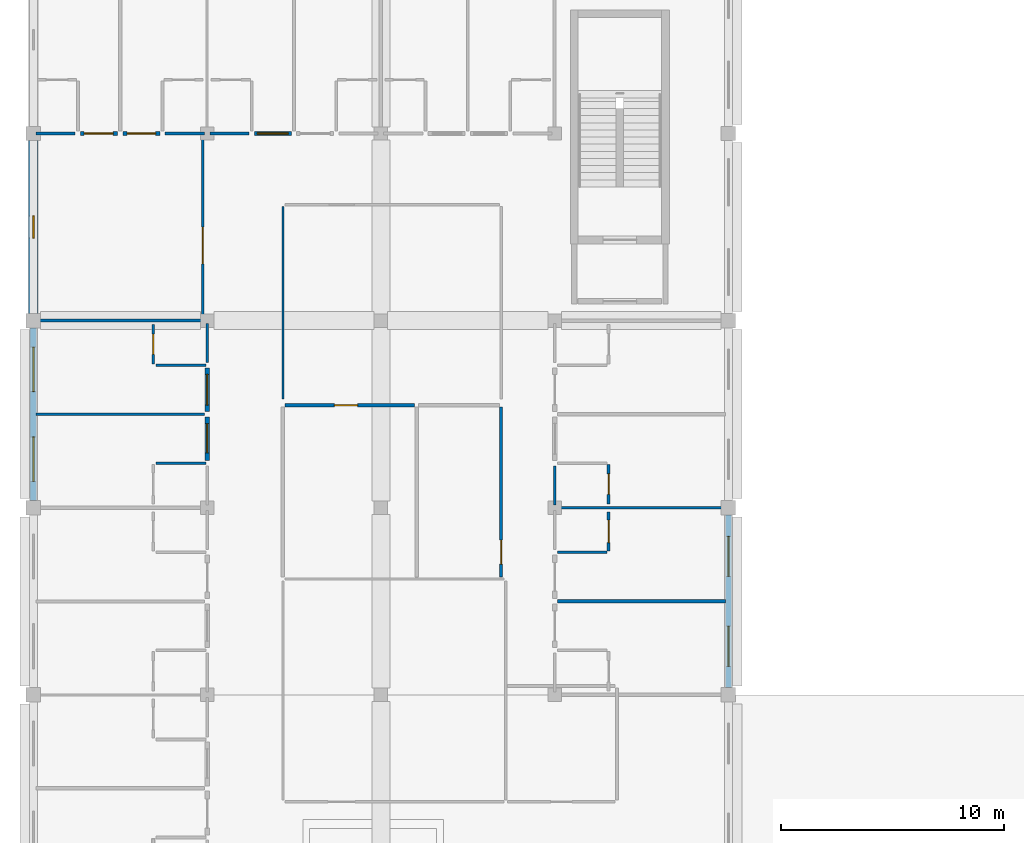
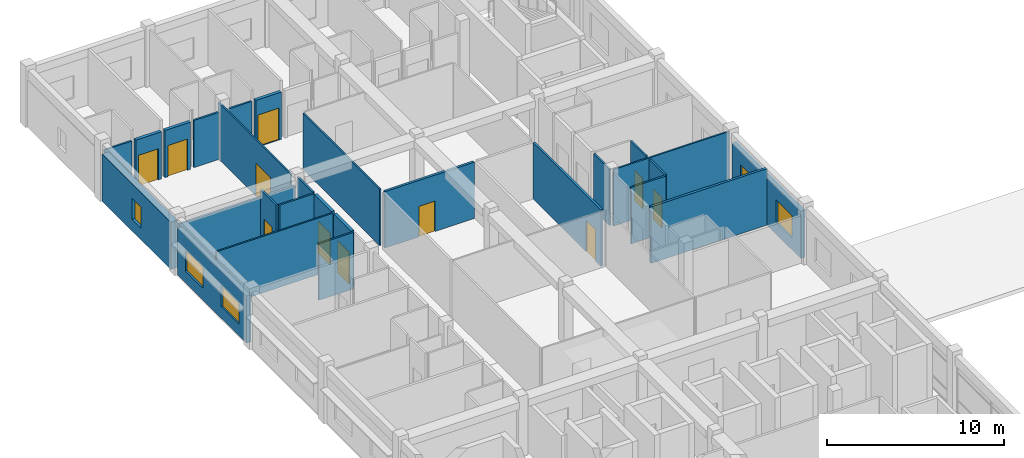
# One storey, part 16 of 32: 27 walls, 11 doors, 5 windows, 16 openings.
"""IFC4 building model written with IfcOpenShell, lengths in metres."""

from ifc_helpers import new_model, si_unit, direction, frame, frame_2d, origin, place, context, subcontext, project, spatial, rectangle, extrude, material, layer, layer_set, type_object, element, fill, save


model = new_model("IFC4")

# Units and contexts
model_context = context("Model", 3, precision=1e-05, world=origin(), true_north=direction((0.0, 1.0)))
body_context = subcontext(model_context, "Body", "Model", "MODEL_VIEW")
ifc_project = project(units=[si_unit("LENGTHUNIT", "METRE"), si_unit("AREAUNIT", "SQUARE_METRE"), si_unit("VOLUMEUNIT", "CUBIC_METRE"), si_unit("PLANEANGLEUNIT", "RADIAN"), si_unit("MASSUNIT", "GRAM", prefix="KILO"), si_unit("THERMODYNAMICTEMPERATUREUNIT", "KELVIN"), si_unit("POWERUNIT", "WATT")], contexts=[model_context])

# Site, building, storey
site_placement = place(None, origin())
site = spatial("IfcSite", under=ifc_project, at=site_placement, CompositionType="ELEMENT")
building_placement = place(site_placement, origin())
building = spatial("IfcBuilding", under=site, at=building_placement, Name="Srebrne Nadtorze General Hospital", CompositionType="ELEMENT")
storey_placement = place(building_placement, frame((0.0, 0.0, 29.699951171875)))
storey = spatial("IfcBuildingStorey", under=building, at=storey_placement, Name="L07", CompositionType="ELEMENT", Elevation=29.699951171875)

# Wall, opening, window
ifc_material_1 = material(Name="Concrete C40/50", Category="concrete")
ifc_layer_1 = layer(ifc_material_1, 0.419921875)
ifc_layer_set_1 = layer_set([ifc_layer_1], Name="Concrete C40/50")
wall_type_1 = type_object("IfcWallType", Name="Acoustic buffer wall 420", PredefinedType="SOLIDWALL", material=ifc_layer_set_1)
wall_1_placement = place(storey_placement, frame((23.39990234375, 75.925048828125, 0.0), z_axis=(0.0, 0.0, 1.0), x_axis=(0.0, 1.0, 0.0)))
wall_1 = element("IfcWall", 1, at=wall_1_placement, inside=storey, type_object=wall_type_1, Name="Exterior wall WL-ENV-L07-0532", PredefinedType="SOLIDWALL", context=body_context, shape_type="SweptSolid", body=[
    extrude(rectangle(XDim=7.75, YDim=0.419921875, at=frame_2d((3.875, 0.0))), origin(), (0.0, 0.0, 1.0), 3.25),
])
opening_1_placement = place(wall_1_placement, frame((3.375, 0.0, 0.800048828125)))
opening_1 = element("IfcOpeningElement", 2, at=opening_1_placement, cuts=wall_1, Name="Opening WN-L07-0894", PredefinedType="OPENING", context=body_context, shape_type="SweptSolid", body=[
    extrude(rectangle(XDim=1.0, YDim=1.449951171875, at=frame_2d((0.5, 0.72509765625))), frame((0.0, 0.221923828125, 0.0), z_axis=(0.0, -1.0, 0.0), x_axis=(1.0, 0.0, 0.0)), (0.0, 0.0, 1.0), 0.44384765625),
])
ifc_material_2 = material(Name="Triple Low-E Glazing", Category="glass")
window_type_1 = type_object("IfcWindowType", Name="Punched clinical window 1000x1450", PartitioningType="SINGLE_PANEL", PredefinedType="WINDOW", material=ifc_material_2)
window_1_placement = place(opening_1_placement, origin())
window_1 = element("IfcWindow", 3, at=window_1_placement, inside=storey, type_object=window_type_1, Name="Clinical window WN-L07-0894", OverallHeight=1.449951171875, OverallWidth=1.0, PartitioningType="SINGLE_PANEL", PredefinedType="WINDOW", context=body_context, shape_type="SweptSolid", body=[
    extrude(rectangle(XDim=1.0, YDim=1.449951171875, at=frame_2d((0.5, 0.72509765625))), frame((0.0, 0.030029296875, 0.0), z_axis=(0.0, -1.0, 0.0), x_axis=(1.0, 0.0, 0.0)), (0.0, 0.0, 1.0), 0.06005859375),
])
fill(opening_1, window_1)

# Wall
ifc_material_3 = material(Name="Gypsum Healthcare Partition")
ifc_layer_2 = layer(ifc_material_3, 0.139892578125)
ifc_layer_set_2 = layer_set([ifc_layer_2], Name="Gypsum Healthcare Partition")
wall_type_2 = type_object("IfcWallType", Name="Clinical partition 140", PredefinedType="PARTITIONING", material=ifc_layer_set_2)
wall_2_placement = place(storey_placement, frame((23.52001953125, 75.60009765625, 0.0), z_axis=(0.0, 0.0, 1.0), x_axis=(1.0, 0.0, 0.0)))
element("IfcWall", 4, at=wall_2_placement, inside=storey, type_object=wall_type_2, Name="Ward inter-room partition WL-INT-L07-2304", PredefinedType="PARTITIONING", context=body_context, shape_type="SweptSolid", body=[
    extrude(rectangle(XDim=7.56005859375, YDim=0.139892578125, at=frame_2d((3.780029296875, 0.0))), origin(), (0.0, 0.0, 1.0), 3.25),
])

# Wall, opening, door
wall_3_placement = place(storey_placement, frame((44.39990234375, 64.0849609375, 0.0), z_axis=(0.0, 0.0, 1.0), x_axis=(0.0, 1.0, 0.0)))
wall_3 = element("IfcWall", 5, at=wall_3_placement, inside=storey, type_object=wall_type_2, Name="Dirty Utility wall WL-INT-L07-2428", PredefinedType="PARTITIONING", context=body_context, shape_type="SweptSolid", body=[
    extrude(rectangle(XDim=7.630126953125, YDim=0.139892578125, at=frame_2d((3.81494140625, 0.0))), origin(), (0.0, 0.0, 1.0), 3.880126953125),
])
opening_2_placement = place(wall_3_placement, frame((0.586181640625, 0.0, 0.0)))
opening_2 = element("IfcOpeningElement", 6, at=opening_2_placement, cuts=wall_3, Name="Opening D-L07-0559", PredefinedType="OPENING", context=body_context, shape_type="SweptSolid", body=[
    extrude(rectangle(XDim=1.080078125, YDim=2.14990234375, at=frame_2d((0.5400390625, 1.074951171875))), frame((0.0, 0.08203125, 0.0), z_axis=(0.0, -1.0, 0.0), x_axis=(1.0, 0.0, 0.0)), (0.0, 0.0, 1.0), 0.163818359375),
])
ifc_material_4 = material(Name="Anodised Aluminium", Category="aluminium")
door_type_1 = type_object("IfcDoorType", Name="Single leaf door 1080x2150", OperationType="NOTDEFINED", PredefinedType="DOOR", material=ifc_material_4)
door_1_placement = place(opening_2_placement, origin())
door_1 = element("IfcDoor", 7, at=door_1_placement, inside=storey, type_object=door_type_1, Name="Dirty Utility door D-L07-0559", OperationType="SINGLE_SWING_LEFT", OverallHeight=2.14990234375, OverallWidth=1.080078125, PredefinedType="DOOR", context=body_context, shape_type="SweptSolid", body=[
    extrude(rectangle(XDim=1.080078125, YDim=2.14990234375, at=frame_2d((0.5400390625, 1.074951171875))), frame((0.0, 0.02490234375, 0.0), z_axis=(0.0, -1.0, 0.0), x_axis=(1.0, 0.0, 0.0)), (0.0, 0.0, 1.0), 0.050048828125),
])
fill(opening_2, door_1)

# Wall
ifc_material_5 = material(Name="Gypsum Healthcare Partition")
ifc_layer_3 = layer(ifc_material_5, 0.159912109375)
ifc_layer_set_3 = layer_set([ifc_layer_3], Name="Gypsum Healthcare Partition")
wall_type_3 = type_object("IfcWallType", Name="Clinical partition 160", PredefinedType="PARTITIONING", material=ifc_layer_set_3)
wall_4_placement = place(storey_placement, frame((46.919921875, 63.0, 0.0), z_axis=(0.0, 0.0, 1.0), x_axis=(1.0, 0.0, 0.0)))
element("IfcWall", 8, at=wall_4_placement, inside=storey, type_object=wall_type_3, Name="Ward inter-room partition WL-INT-L07-2310", PredefinedType="PARTITIONING", context=body_context, shape_type="SweptSolid", body=[
    extrude(rectangle(XDim=7.56005859375, YDim=0.159912109375, at=frame_2d((3.780029296875, 0.0))), origin(), (0.0, 0.0, 1.0), 3.880126953125),
])

# Wall, opening, door
wall_5_placement = place(storey_placement, frame((34.68505859375, 71.800048828125, 0.0), z_axis=(0.0, 0.0, 1.0), x_axis=(1.0, 0.0, 0.0)))
wall_5 = element("IfcWall", 9, at=wall_5_placement, inside=storey, type_object=wall_type_3, Name="Clean Medication Preparation Suite wall WL-INT-L07-2425", PredefinedType="PARTITIONING", context=body_context, shape_type="SweptSolid", body=[
    extrude(rectangle(XDim=5.829833984375, YDim=0.159912109375, at=frame_2d((2.9150390625, 0.0))), origin(), (0.0, 0.0, 1.0), 3.880126953125),
])
opening_3_placement = place(wall_5_placement, frame((2.225341796875, 0.0, 0.0)))
opening_3 = element("IfcOpeningElement", 10, at=opening_3_placement, cuts=wall_5, Name="Opening D-L07-0558", PredefinedType="OPENING", context=body_context, shape_type="SweptSolid", body=[
    extrude(rectangle(XDim=1.050048828125, YDim=2.10009765625, at=frame_2d((0.52490234375, 1.050048828125))), frame((0.0, 0.091796875, 0.0), z_axis=(0.0, -1.0, 0.0), x_axis=(1.0, 0.0, 0.0)), (0.0, 0.0, 1.0), 0.183837890625),
])
ifc_material_6 = material(Name="Anodised Aluminium", Category="aluminium")
door_type_2 = type_object("IfcDoorType", Name="Single leaf door 1050x2100", OperationType="NOTDEFINED", PredefinedType="DOOR", material=ifc_material_6)
door_2_placement = place(opening_3_placement, frame((1.050048828125, 0.0, 0.0), z_axis=(0.0, 0.0, 1.0), x_axis=(-1.0, 0.0, 0.0)))
door_2 = element("IfcDoor", 11, at=door_2_placement, inside=storey, type_object=door_type_2, Name="Clean Medication Preparation Suite door D-L07-0558", OperationType="SINGLE_SWING_RIGHT", OverallHeight=2.10009765625, OverallWidth=1.050048828125, PredefinedType="DOOR", context=body_context, shape_type="SweptSolid", body=[
    extrude(rectangle(XDim=1.050048828125, YDim=2.10009765625, at=frame_2d((0.52490234375, 1.050048828125))), frame((0.0, 0.02490234375, 0.0), z_axis=(0.0, -1.0, 0.0), x_axis=(1.0, 0.0, 0.0)), (0.0, 0.0, 1.0), 0.050048828125),
])
fill(opening_3, door_2)

ifc_material_7 = material(Name="Gypsum Healthcare Partition")
ifc_layer_4 = layer(ifc_material_7, 0.199951171875)
ifc_layer_set_4 = layer_set([ifc_layer_4], Name="Gypsum Healthcare Partition")
wall_type_4 = type_object("IfcWallType", Name="Compartment wall 200", PredefinedType="STANDARD", material=ifc_layer_set_4)
wall_6_placement = place(storey_placement, frame((25.52001953125, 84.0, 0.0), z_axis=(0.0, 0.0, 1.0), x_axis=(1.0, 0.0, 0.0)))
wall_6 = element("IfcWall", 12, at=wall_6_placement, inside=storey, type_object=wall_type_4, Name="Ward corridor wall WL-INT-L07-2249", PredefinedType="STANDARD", context=body_context, shape_type="SweptSolid", body=[
    extrude(rectangle(XDim=1.659912109375, YDim=0.199951171875, at=frame_2d((0.830078125, 0.0))), origin(), (0.0, 0.0, 1.0), 3.25),
])
opening_4_placement = place(wall_6_placement, frame((0.155029296875, 0.0, 0.0)))
opening_4 = element("IfcOpeningElement", 13, at=opening_4_placement, cuts=wall_6, Name="Opening D-L07-0489", PredefinedType="OPENING", context=body_context, shape_type="SweptSolid", body=[
    extrude(rectangle(XDim=1.300048828125, YDim=2.14990234375, at=frame_2d((0.64990234375, 1.074951171875))), frame((0.0, 0.11181640625, 0.0), z_axis=(0.0, -1.0, 0.0), x_axis=(1.0, 0.0, 0.0)), (0.0, 0.0, 1.0), 0.223876953125),
])
ifc_material_8 = material(Name="Anodised Aluminium", Category="aluminium")
door_type_3 = type_object("IfcDoorType", Name="Single leaf door 1300x2150", OperationType="NOTDEFINED", PredefinedType="DOOR", material=ifc_material_8)
door_3_placement = place(opening_4_placement, origin())
door_3 = element("IfcDoor", 14, at=door_3_placement, inside=storey, type_object=door_type_3, Name="Ward patient room door D-L07-0489", OperationType="SINGLE_SWING_RIGHT", OverallHeight=2.14990234375, OverallWidth=1.300048828125, PredefinedType="DOOR", context=body_context, shape_type="SweptSolid", body=[
    extrude(rectangle(XDim=1.300048828125, YDim=2.14990234375, at=frame_2d((0.64990234375, 1.074951171875))), frame((0.0, 0.02490234375, 0.0), z_axis=(0.0, -1.0, 0.0), x_axis=(1.0, 0.0, 0.0)), (0.0, 0.0, 1.0), 0.050048828125),
])
fill(opening_4, door_3)

wall_7_placement = place(storey_placement, frame((27.419921875, 84.0, 0.0), z_axis=(0.0, 0.0, 1.0), x_axis=(1.0, 0.0, 0.0)))
wall_7 = element("IfcWall", 15, at=wall_7_placement, inside=storey, type_object=wall_type_4, Name="Ward corridor wall WL-INT-L07-2254", PredefinedType="STANDARD", context=body_context, shape_type="SweptSolid", body=[
    extrude(rectangle(XDim=1.66015625, YDim=0.199951171875, at=frame_2d((0.830078125, 0.0))), origin(), (0.0, 0.0, 1.0), 3.25),
])
opening_5_placement = place(wall_7_placement, frame((0.18994140625, 0.0, 0.0)))
opening_5 = element("IfcOpeningElement", 16, at=opening_5_placement, cuts=wall_7, Name="Opening D-L07-0491", PredefinedType="OPENING", context=body_context, shape_type="SweptSolid", body=[
    extrude(rectangle(XDim=1.280029296875, YDim=2.14990234375, at=frame_2d((0.64013671875, 1.074951171875))), frame((0.0, 0.11181640625, 0.0), z_axis=(0.0, -1.0, 0.0), x_axis=(1.0, 0.0, 0.0)), (0.0, 0.0, 1.0), 0.223876953125),
])
ifc_material_9 = material(Name="Anodised Aluminium", Category="aluminium")
door_type_4 = type_object("IfcDoorType", Name="Single leaf door 1280x2150", OperationType="NOTDEFINED", PredefinedType="DOOR", material=ifc_material_9)
door_4_placement = place(opening_5_placement, origin())
door_4 = element("IfcDoor", 17, at=door_4_placement, inside=storey, type_object=door_type_4, Name="Ward patient room door D-L07-0491", OperationType="SINGLE_SWING_LEFT", OverallHeight=2.14990234375, OverallWidth=1.280029296875, PredefinedType="DOOR", context=body_context, shape_type="SweptSolid", body=[
    extrude(rectangle(XDim=1.280029296875, YDim=2.14990234375, at=frame_2d((0.64013671875, 1.074951171875))), frame((0.0, 0.02490234375, 0.0), z_axis=(0.0, -1.0, 0.0), x_axis=(1.0, 0.0, 0.0)), (0.0, 0.0, 1.0), 0.050048828125),
])
fill(opening_5, door_4)

wall_8_placement = place(storey_placement, frame((33.320068359375, 84.0, 0.0), z_axis=(0.0, 0.0, 1.0), x_axis=(1.0, 0.0, 0.0)))
wall_8 = element("IfcWall", 18, at=wall_8_placement, inside=storey, type_object=wall_type_4, Name="Ward corridor wall WL-INT-L07-2259", PredefinedType="STANDARD", context=body_context, shape_type="SweptSolid", body=[
    extrude(rectangle(XDim=1.659912109375, YDim=0.199951171875, at=frame_2d((0.830078125, 0.0))), origin(), (0.0, 0.0, 1.0), 3.25),
])
opening_6_placement = place(wall_8_placement, frame((0.139892578125, 0.0, 0.0)))
opening_6 = element("IfcOpeningElement", 19, at=opening_6_placement, cuts=wall_8, Name="Opening D-L07-0493", PredefinedType="OPENING", context=body_context, shape_type="SweptSolid", body=[
    extrude(rectangle(XDim=1.3798828125, YDim=2.199951171875, at=frame_2d((0.68994140625, 1.10009765625))), frame((0.0, 0.11181640625, 0.0), z_axis=(0.0, -1.0, 0.0), x_axis=(1.0, 0.0, 0.0)), (0.0, 0.0, 1.0), 0.223876953125),
])
ifc_material_10 = material(Name="Anodised Aluminium", Category="aluminium")
door_type_5 = type_object("IfcDoorType", Name="Single leaf door 1380x2200", OperationType="NOTDEFINED", PredefinedType="DOOR", material=ifc_material_10)
door_5_placement = place(opening_6_placement, origin())
door_5 = element("IfcDoor", 20, at=door_5_placement, inside=storey, type_object=door_type_5, Name="Ward patient room door D-L07-0493", OperationType="SINGLE_SWING_LEFT", OverallHeight=2.199951171875, OverallWidth=1.3798828125, PredefinedType="DOOR", context=body_context, shape_type="SweptSolid", body=[
    extrude(rectangle(XDim=1.3798828125, YDim=2.199951171875, at=frame_2d((0.68994140625, 1.10009765625))), frame((0.0, 0.02490234375, 0.0), z_axis=(0.0, -1.0, 0.0), x_axis=(1.0, 0.0, 0.0)), (0.0, 0.0, 1.0), 0.050048828125),
])
fill(opening_6, door_5)

wall_9_placement = place(storey_placement, frame((31.199951171875, 69.320068359375, 0.0), z_axis=(0.0, 0.0, 1.0), x_axis=(0.0, 1.0, 0.0)))
wall_9 = element("IfcWall", 21, at=wall_9_placement, inside=storey, type_object=wall_type_4, Name="Ward corridor wall WL-INT-L07-2300", PredefinedType="STANDARD", context=body_context, shape_type="SweptSolid", body=[
    extrude(rectangle(XDim=1.9599609375, YDim=0.199951171875, at=frame_2d((0.97998046875, 0.0))), origin(), (0.0, 0.0, 1.0), 3.880126953125),
])
opening_7_placement = place(wall_9_placement, frame((0.340087890625, 0.0, 0.0)))
opening_7 = element("IfcOpeningElement", 22, at=opening_7_placement, cuts=wall_9, Name="Opening D-L07-0509", PredefinedType="OPENING", context=body_context, shape_type="SweptSolid", body=[
    extrude(rectangle(XDim=1.320068359375, YDim=2.199951171875, at=frame_2d((0.66015625, 1.10009765625))), frame((0.0, 0.11181640625, 0.0), z_axis=(0.0, -1.0, 0.0), x_axis=(1.0, 0.0, 0.0)), (0.0, 0.0, 1.0), 0.223876953125),
])
ifc_material_11 = material(Name="Anodised Aluminium", Category="aluminium")
door_type_6 = type_object("IfcDoorType", Name="Single leaf door 1320x2200", OperationType="NOTDEFINED", PredefinedType="DOOR", material=ifc_material_11)
door_6_placement = place(opening_7_placement, origin())
door_6 = element("IfcDoor", 23, at=door_6_placement, inside=storey, type_object=door_type_6, Name="Ward patient room door D-L07-0509", OperationType="SINGLE_SWING_RIGHT", OverallHeight=2.199951171875, OverallWidth=1.320068359375, PredefinedType="DOOR", context=body_context, shape_type="SweptSolid", body=[
    extrude(rectangle(XDim=1.320068359375, YDim=2.199951171875, at=frame_2d((0.66015625, 1.10009765625))), frame((0.0, 0.02490234375, 0.0), z_axis=(0.0, -1.0, 0.0), x_axis=(1.0, 0.0, 0.0)), (0.0, 0.0, 1.0), 0.050048828125),
])
fill(opening_7, door_6)

wall_10_placement = place(storey_placement, frame((31.199951171875, 71.52001953125, 0.0), z_axis=(0.0, 0.0, 1.0), x_axis=(0.0, 1.0, 0.0)))
wall_10 = element("IfcWall", 24, at=wall_10_placement, inside=storey, type_object=wall_type_4, Name="Ward corridor wall WL-INT-L07-2305", PredefinedType="STANDARD", context=body_context, shape_type="SweptSolid", body=[
    extrude(rectangle(XDim=1.9599609375, YDim=0.199951171875, at=frame_2d((0.97998046875, 0.0))), origin(), (0.0, 0.0, 1.0), 3.880126953125),
])
opening_8_placement = place(wall_10_placement, frame((0.2900390625, 0.0, 0.0)))
opening_8 = element("IfcOpeningElement", 25, at=opening_8_placement, cuts=wall_10, Name="Opening D-L07-0511", PredefinedType="OPENING", context=body_context, shape_type="SweptSolid", body=[
    extrude(rectangle(XDim=1.3798828125, YDim=2.199951171875, at=frame_2d((0.68994140625, 1.10009765625))), frame((0.0, 0.11181640625, 0.0), z_axis=(0.0, -1.0, 0.0), x_axis=(1.0, 0.0, 0.0)), (0.0, 0.0, 1.0), 0.223876953125),
])
door_7_placement = place(opening_8_placement, origin())
door_7 = element("IfcDoor", 26, at=door_7_placement, inside=storey, type_object=door_type_5, Name="Ward patient room door D-L07-0511", OperationType="SINGLE_SWING_LEFT", OverallHeight=2.199951171875, OverallWidth=1.3798828125, PredefinedType="DOOR", context=body_context, shape_type="SweptSolid", body=[
    extrude(rectangle(XDim=1.3798828125, YDim=2.199951171875, at=frame_2d((0.68994140625, 1.10009765625))), frame((0.0, 0.02490234375, 0.0), z_axis=(0.0, -1.0, 0.0), x_axis=(1.0, 0.0, 0.0)), (0.0, 0.0, 1.0), 0.050048828125),
])
fill(opening_8, door_7)

# Walls
ifc_material_12 = material(Name="Gypsum Healthcare Partition")
ifc_layer_5 = layer(ifc_material_12, 0.1201171875)
ifc_layer_set_5 = layer_set([ifc_layer_5], Name="Gypsum Healthcare Partition")
wall_type_5 = type_object("IfcWallType", Name="En-suite partition 120", PredefinedType="PARTITIONING", material=ifc_layer_set_5)
for number, where, z_axis, x_axis, name in (
    (27, (23.52001953125, 84.0, 0.0), (0.0, 0.0, 1.0), (1.0, 0.0, 0.0), "En-suite corridor wall WL-INT-L07-2250"),
    (28, (29.320068359375, 84.0, 0.0), (0.0, 0.0, 1.0), (1.0, 0.0, 0.0), "En-suite corridor wall WL-INT-L07-2255"),
    (29, (31.320068359375, 84.0, 0.0), (0.0, 0.0, 1.0), (1.0, 0.0, 0.0), "En-suite corridor wall WL-INT-L07-2260"),
):
    element("IfcWall", number, at=place(storey_placement, frame(where, z_axis=z_axis, x_axis=x_axis)), inside=storey, type_object=wall_type_5, Name=name, PredefinedType="PARTITIONING", context=body_context, shape_type="SweptSolid", body=[
        extrude(rectangle(XDim=1.760009765625, YDim=0.1201171875, at=frame_2d((0.8798828125, 0.0))), origin(), (0.0, 0.0, 1.0), 3.25),
    ])
wall_11_placement = place(storey_placement, frame((28.89990234375, 69.199951171875, 0.0), z_axis=(0.0, 0.0, 1.0), x_axis=(1.0, 0.0, 0.0)))
element("IfcWall", 30, at=wall_11_placement, inside=storey, type_object=wall_type_5, Name="En-suite wet wall WL-INT-L07-2302", PredefinedType="PARTITIONING", context=body_context, shape_type="SweptSolid", body=[
    extrude(rectangle(XDim=2.239990234375, YDim=0.1201171875, at=frame_2d((1.1201171875, 0.0))), origin(), (0.0, 0.0, 1.0), 3.880126953125),
])
wall_12_placement = place(storey_placement, frame((31.199951171875, 73.719970703125, 0.0), z_axis=(0.0, 0.0, 1.0), x_axis=(0.0, 1.0, 0.0)))
element("IfcWall", 31, at=wall_12_placement, inside=storey, type_object=wall_type_5, Name="En-suite corridor wall WL-INT-L07-2306", PredefinedType="PARTITIONING", context=body_context, shape_type="SweptSolid", body=[
    extrude(rectangle(XDim=1.760009765625, YDim=0.1201171875, at=frame_2d((0.8798828125, 0.0))), origin(), (0.0, 0.0, 1.0), 3.880126953125),
])
wall_13_placement = place(storey_placement, frame((28.89990234375, 73.60009765625, 0.0), z_axis=(0.0, 0.0, 1.0), x_axis=(1.0, 0.0, 0.0)))
element("IfcWall", 32, at=wall_13_placement, inside=storey, type_object=wall_type_5, Name="En-suite wet wall WL-INT-L07-2307", PredefinedType="PARTITIONING", context=body_context, shape_type="SweptSolid", body=[
    extrude(rectangle(XDim=2.239990234375, YDim=0.1201171875, at=frame_2d((1.1201171875, 0.0))), origin(), (0.0, 0.0, 1.0), 3.880126953125),
])

# Wall, opening, door
wall_14_placement = place(storey_placement, frame((28.780029296875, 73.659912109375, 0.0), z_axis=(0.0, 0.0, 1.0), x_axis=(0.0, 1.0, 0.0)))
wall_14 = element("IfcWall", 33, at=wall_14_placement, inside=storey, type_object=wall_type_5, Name="En-suite wet wall WL-INT-L07-2308", PredefinedType="PARTITIONING", context=body_context, shape_type="SweptSolid", body=[
    extrude(rectangle(XDim=1.760009765625, YDim=0.1201171875, at=frame_2d((0.8798828125, 0.0))), origin(), (0.0, 0.0, 1.0), 3.880126953125),
])
opening_9_placement = place(wall_14_placement, frame((0.419921875, 0.0, 0.0)))
opening_9 = element("IfcOpeningElement", 34, at=opening_9_placement, cuts=wall_14, Name="Opening D-L07-0512", PredefinedType="OPENING", context=body_context, shape_type="SweptSolid", body=[
    extrude(rectangle(XDim=0.919921875, YDim=2.080078125, at=frame_2d((0.4599609375, 1.0400390625))), frame((0.0, 0.072021484375, 0.0), z_axis=(0.0, -1.0, 0.0), x_axis=(1.0, 0.0, 0.0)), (0.0, 0.0, 1.0), 0.14404296875),
])
ifc_material_13 = material(Name="Anodised Aluminium", Category="aluminium")
door_type_7 = type_object("IfcDoorType", Name="Single leaf door 920x2080", OperationType="NOTDEFINED", PredefinedType="DOOR", material=ifc_material_13)
door_8_placement = place(opening_9_placement, frame((0.919921875, 0.0, 0.0), z_axis=(0.0, 0.0, 1.0), x_axis=(-1.0, 0.0, 0.0)))
door_8 = element("IfcDoor", 35, at=door_8_placement, inside=storey, type_object=door_type_7, Name="En-suite bathroom door D-L07-0512", OperationType="SINGLE_SWING_LEFT", OverallHeight=2.080078125, OverallWidth=0.919921875, PredefinedType="DOOR", context=body_context, shape_type="SweptSolid", body=[
    extrude(rectangle(XDim=0.919921875, YDim=2.080078125, at=frame_2d((0.4599609375, 1.0400390625))), frame((0.0, 0.02490234375, 0.0), z_axis=(0.0, -1.0, 0.0), x_axis=(1.0, 0.0, 0.0)), (0.0, 0.0, 1.0), 0.050048828125),
])
fill(opening_9, door_8)

# Wall
wall_15_placement = place(storey_placement, frame((46.919921875, 65.199951171875, 0.0), z_axis=(0.0, 0.0, 1.0), x_axis=(1.0, 0.0, 0.0)))
element("IfcWall", 36, at=wall_15_placement, inside=storey, type_object=wall_type_5, Name="En-suite wet wall WL-INT-L07-2318", PredefinedType="PARTITIONING", context=body_context, shape_type="SweptSolid", body=[
    extrude(rectangle(XDim=2.239990234375, YDim=0.1201171875, at=frame_2d((1.1201171875, 0.0))), origin(), (0.0, 0.0, 1.0), 3.880126953125),
])

# Wall, opening, door
wall_16_placement = place(storey_placement, frame((49.219970703125, 65.260009765625, 0.0), z_axis=(0.0, 0.0, 1.0), x_axis=(0.0, 1.0, 0.0)))
wall_16 = element("IfcWall", 37, at=wall_16_placement, inside=storey, type_object=wall_type_5, Name="En-suite wet wall WL-INT-L07-2319", PredefinedType="PARTITIONING", context=body_context, shape_type="SweptSolid", body=[
    extrude(rectangle(XDim=1.760009765625, YDim=0.1201171875, at=frame_2d((0.8798828125, 0.0))), origin(), (0.0, 0.0, 1.0), 3.880126953125),
])
opening_10_placement = place(wall_16_placement, frame((0.3798828125, 0.0, 0.0)))
opening_10 = element("IfcOpeningElement", 38, at=opening_10_placement, cuts=wall_16, Name="Opening D-L07-0516", PredefinedType="OPENING", context=body_context, shape_type="SweptSolid", body=[
    extrude(rectangle(XDim=1.0, YDim=2.10009765625, at=frame_2d((0.5, 1.050048828125))), frame((0.0, 0.072021484375, 0.0), z_axis=(0.0, -1.0, 0.0), x_axis=(1.0, 0.0, 0.0)), (0.0, 0.0, 1.0), 0.14404296875),
])
ifc_material_14 = material(Name="Anodised Aluminium", Category="aluminium")
door_type_8 = type_object("IfcDoorType", Name="Single leaf door 1000x2100", OperationType="NOTDEFINED", PredefinedType="DOOR", material=ifc_material_14)
door_9_placement = place(opening_10_placement, origin())
door_9 = element("IfcDoor", 39, at=door_9_placement, inside=storey, type_object=door_type_8, Name="En-suite bathroom door D-L07-0516", OperationType="SINGLE_SWING_LEFT", OverallHeight=2.10009765625, OverallWidth=1.0, PredefinedType="DOOR", context=body_context, shape_type="SweptSolid", body=[
    extrude(rectangle(XDim=1.0, YDim=2.10009765625, at=frame_2d((0.5, 1.050048828125))), frame((0.0, 0.02490234375, 0.0), z_axis=(0.0, -1.0, 0.0), x_axis=(1.0, 0.0, 0.0)), (0.0, 0.0, 1.0), 0.050048828125),
])
fill(opening_10, door_9)

# Wall
wall_17_placement = place(storey_placement, frame((46.800048828125, 67.320068359375, 0.0), z_axis=(0.0, 0.0, 1.0), x_axis=(0.0, 1.0, 0.0)))
element("IfcWall", 40, at=wall_17_placement, inside=storey, type_object=wall_type_5, Name="En-suite corridor wall WL-INT-L07-2322", PredefinedType="PARTITIONING", context=body_context, shape_type="SweptSolid", body=[
    extrude(rectangle(XDim=1.760009765625, YDim=0.1201171875, at=frame_2d((0.8798828125, 0.0))), origin(), (0.0, 0.0, 1.0), 3.880126953125),
])

# Wall, opening, door
wall_18_placement = place(storey_placement, frame((49.219970703125, 67.3798828125, 0.0), z_axis=(0.0, 0.0, 1.0), x_axis=(0.0, 1.0, 0.0)))
wall_18 = element("IfcWall", 41, at=wall_18_placement, inside=storey, type_object=wall_type_5, Name="En-suite wet wall WL-INT-L07-2324", PredefinedType="PARTITIONING", context=body_context, shape_type="SweptSolid", body=[
    extrude(rectangle(XDim=1.760009765625, YDim=0.1201171875, at=frame_2d((0.8798828125, 0.0))), origin(), (0.0, 0.0, 1.0), 3.880126953125),
])
opening_11_placement = place(wall_18_placement, frame((0.419921875, 0.0, 0.0)))
opening_11 = element("IfcOpeningElement", 42, at=opening_11_placement, cuts=wall_18, Name="Opening D-L07-0518", PredefinedType="OPENING", context=body_context, shape_type="SweptSolid", body=[
    extrude(rectangle(XDim=0.919921875, YDim=2.080078125, at=frame_2d((0.4599609375, 1.0400390625))), frame((0.0, 0.072021484375, 0.0), z_axis=(0.0, -1.0, 0.0), x_axis=(1.0, 0.0, 0.0)), (0.0, 0.0, 1.0), 0.14404296875),
])
door_10_placement = place(opening_11_placement, origin())
door_10 = element("IfcDoor", 43, at=door_10_placement, inside=storey, type_object=door_type_7, Name="En-suite bathroom door D-L07-0518", OperationType="SINGLE_SWING_LEFT", OverallHeight=2.080078125, OverallWidth=0.919921875, PredefinedType="DOOR", context=body_context, shape_type="SweptSolid", body=[
    extrude(rectangle(XDim=0.919921875, YDim=2.080078125, at=frame_2d((0.4599609375, 1.0400390625))), frame((0.0, 0.02490234375, 0.0), z_axis=(0.0, -1.0, 0.0), x_axis=(1.0, 0.0, 0.0)), (0.0, 0.0, 1.0), 0.050048828125),
])
fill(opening_11, door_10)

# Walls
ifc_material_15 = material(Name="Gypsum Healthcare Partition")
ifc_layer_6 = layer(ifc_material_15, 0.10009765625)
ifc_layer_set_6 = layer_set([ifc_layer_6], Name="Gypsum Healthcare Partition")
wall_type_6 = type_object("IfcWallType", Name="Shaft lining wall 100", PredefinedType="PARTITIONING", material=ifc_layer_set_6)
for number, where, z_axis, x_axis, name in (
    (44, (23.52001953125, 71.39990234375, 0.0), (0.0, 0.0, 1.0), (1.0, 0.0, 0.0), "Ward inter-room partition WL-INT-L07-2299"),
    (45, (46.919921875, 67.199951171875, 0.0), (0.0, 0.0, 1.0), (1.0, 0.0, 0.0), "Ward inter-room partition WL-INT-L07-2315"),
):
    element("IfcWall", number, at=place(storey_placement, frame(where, z_axis=z_axis, x_axis=x_axis)), inside=storey, type_object=wall_type_6, Name=name, PredefinedType="PARTITIONING", context=body_context, shape_type="SweptSolid", body=[
        extrude(rectangle(XDim=7.56005859375, YDim=0.10009765625, at=frame_2d((3.780029296875, 0.0))), origin(), (0.0, 0.0, 1.0), 3.880126953125),
    ])
wall_19_placement = place(storey_placement, frame((34.60009765625, 72.0849609375, 0.0), z_axis=(0.0, 0.0, 1.0), x_axis=(0.0, 1.0, 0.0)))
element("IfcWall", 46, at=wall_19_placement, inside=storey, type_object=wall_type_6, Name="Paediatric Play and Family Room wall WL-INT-L07-2431", PredefinedType="PARTITIONING", context=body_context, shape_type="SweptSolid", body=[
    extrude(rectangle(XDim=8.630126953125, YDim=0.10009765625, at=frame_2d((4.31494140625, 0.0))), origin(), (0.0, 0.0, 1.0), 3.880126953125),
])

# Wall, opening, door
wall_20_placement = place(storey_placement, frame((31.0, 75.885009765625, 0.0), z_axis=(0.0, 0.0, 1.0), x_axis=(0.0, 1.0, 0.0)))
wall_20 = element("IfcWall", 47, at=wall_20_placement, inside=storey, type_object=wall_type_6, Name="Inpatient Sub-Acute Assessment Ward wall WL-INT-L07-2440", PredefinedType="PARTITIONING", context=body_context, shape_type="SweptSolid", body=[
    extrude(rectangle(XDim=8.179931640625, YDim=0.10009765625, at=frame_2d((4.08984375, 0.0))), origin(), (0.0, 0.0, 1.0), 3.880126953125),
])
opening_12_placement = place(wall_20_placement, frame((2.260009765625, 0.0, 0.0)))
opening_12 = element("IfcOpeningElement", 48, at=opening_12_placement, cuts=wall_20, Name="Opening D-L07-0563", PredefinedType="OPENING", context=body_context, shape_type="SweptSolid", body=[
    extrude(rectangle(XDim=1.64990234375, YDim=2.25, at=frame_2d((0.824951171875, 1.125))), frame((0.0, 0.06201171875, 0.0), z_axis=(0.0, -1.0, 0.0), x_axis=(1.0, 0.0, 0.0)), (0.0, 0.0, 1.0), 0.1240234375),
])
ifc_material_16 = material(Name="Anodised Aluminium", Category="aluminium")
door_type_9 = type_object("IfcDoorType", Name="Double leaf door 1650x2250", OperationType="DOUBLE_DOOR_SINGLE_SWING", PredefinedType="DOOR", material=ifc_material_16)
door_11_placement = place(opening_12_placement, origin())
door_11 = element("IfcDoor", 49, at=door_11_placement, inside=storey, type_object=door_type_9, Name="Inpatient Sub-Acute Assessment Ward door D-L07-0563", OperationType="DOUBLE_DOOR_SINGLE_SWING", OverallHeight=2.25, OverallWidth=1.64990234375, PredefinedType="DOOR", context=body_context, shape_type="SweptSolid", body=[
    extrude(rectangle(XDim=1.64990234375, YDim=2.25, at=frame_2d((0.824951171875, 1.125))), frame((0.0, 0.02490234375, 0.0), z_axis=(0.0, -1.0, 0.0), x_axis=(1.0, 0.0, 0.0)), (0.0, 0.0, 1.0), 0.050048828125),
])
fill(opening_12, door_11)

# Wall, openings, windows
ifc_material_17 = material(Name="Concrete C35/45 precast", Category="concrete")
ifc_layer_7 = layer(ifc_material_17, 0.280029296875)
ifc_layer_set_7 = layer_set([ifc_layer_7], Name="Concrete C35/45 precast")
wall_type_7 = type_object("IfcWallType", Name="Spandrel wall 280", PredefinedType="STANDARD", material=ifc_layer_set_7)
wall_21_placement = place(storey_placement, frame((23.39990234375, 67.52490234375, 0.0), z_axis=(0.0, 0.0, 1.0), x_axis=(0.0, 1.0, 0.0)))
wall_21 = element("IfcWall", 50, at=wall_21_placement, inside=storey, type_object=wall_type_7, Name="Exterior wall WL-ENV-L07-0531", PredefinedType="STANDARD", context=body_context, shape_type="SweptSolid", body=[
    extrude(rectangle(XDim=7.75, YDim=0.280029296875, at=frame_2d((3.875, 0.0))), origin(), (0.0, 0.0, 1.0), 3.25),
])
opening_13_placement = place(wall_21_placement, frame((0.85888671875, 0.0, 0.800048828125)))
opening_13 = element("IfcOpeningElement", 51, at=opening_13_placement, cuts=wall_21, Name="Opening WN-L07-0892", PredefinedType="OPENING", context=body_context, shape_type="SweptSolid", body=[
    extrude(rectangle(XDim=2.0, YDim=1.449951171875, at=frame_2d((1.0, 0.72509765625))), frame((0.0, 0.15185546875, 0.0), z_axis=(0.0, -1.0, 0.0), x_axis=(1.0, 0.0, 0.0)), (0.0, 0.0, 1.0), 0.303955078125),
])
opening_14_placement = place(wall_21_placement, frame((4.89111328125, 0.0, 0.800048828125)))
opening_14 = element("IfcOpeningElement", 52, at=opening_14_placement, cuts=wall_21, Name="Opening WN-L07-0893", PredefinedType="OPENING", context=body_context, shape_type="SweptSolid", body=[
    extrude(rectangle(XDim=2.0, YDim=1.449951171875, at=frame_2d((1.0, 0.72509765625))), frame((0.0, 0.15185546875, 0.0), z_axis=(0.0, -1.0, 0.0), x_axis=(1.0, 0.0, 0.0)), (0.0, 0.0, 1.0), 0.303955078125),
])
ifc_material_18 = material(Name="Triple Low-E Glazing", Category="glass")
window_type_2 = type_object("IfcWindowType", Name="Punched clinical window 2000x1450", PartitioningType="DOUBLE_PANEL_VERTICAL", PredefinedType="WINDOW", material=ifc_material_18)
window_2_placement = place(opening_13_placement, origin())
window_2 = element("IfcWindow", 53, at=window_2_placement, inside=storey, type_object=window_type_2, Name="Clinical window WN-L07-0892", OverallHeight=1.449951171875, OverallWidth=2.0, PartitioningType="DOUBLE_PANEL_VERTICAL", PredefinedType="WINDOW", context=body_context, shape_type="SweptSolid", body=[
    extrude(rectangle(XDim=2.0, YDim=1.449951171875, at=frame_2d((1.0, 0.72509765625))), frame((0.0, 0.030029296875, 0.0), z_axis=(0.0, -1.0, 0.0), x_axis=(1.0, 0.0, 0.0)), (0.0, 0.0, 1.0), 0.06005859375),
])
fill(opening_13, window_2)
window_3_placement = place(opening_14_placement, origin())
window_3 = element("IfcWindow", 54, at=window_3_placement, inside=storey, type_object=window_type_2, Name="Clinical window WN-L07-0893", OverallHeight=1.449951171875, OverallWidth=2.0, PartitioningType="DOUBLE_PANEL_VERTICAL", PredefinedType="WINDOW", context=body_context, shape_type="SweptSolid", body=[
    extrude(rectangle(XDim=2.0, YDim=1.449951171875, at=frame_2d((1.0, 0.72509765625))), frame((0.0, 0.030029296875, 0.0), z_axis=(0.0, -1.0, 0.0), x_axis=(1.0, 0.0, 0.0)), (0.0, 0.0, 1.0), 0.06005859375),
])
fill(opening_14, window_3)

wall_22_placement = place(storey_placement, frame((54.60009765625, 59.125, 0.0), z_axis=(0.0, 0.0, 1.0), x_axis=(0.0, 1.0, 0.0)))
wall_22 = element("IfcWall", 55, at=wall_22_placement, inside=storey, type_object=wall_type_7, Name="Exterior wall WL-ENV-L07-0536", PredefinedType="STANDARD", context=body_context, shape_type="SweptSolid", body=[
    extrude(rectangle(XDim=7.75, YDim=0.280029296875, at=frame_2d((3.875, 0.0))), origin(), (0.0, 0.0, 1.0), 3.25),
])
opening_15_placement = place(wall_22_placement, frame((0.958984375, 0.0, 0.800048828125)))
opening_15 = element("IfcOpeningElement", 56, at=opening_15_placement, cuts=wall_22, Name="Opening WN-L07-0900", PredefinedType="OPENING", context=body_context, shape_type="SweptSolid", body=[
    extrude(rectangle(XDim=1.800048828125, YDim=1.550048828125, at=frame_2d((0.89990234375, 0.77490234375))), frame((0.0, 0.15185546875, 0.0), z_axis=(0.0, -1.0, 0.0), x_axis=(1.0, 0.0, 0.0)), (0.0, 0.0, 1.0), 0.303955078125),
])
opening_16_placement = place(wall_22_placement, frame((4.990966796875, 0.0, 0.800048828125)))
opening_16 = element("IfcOpeningElement", 57, at=opening_16_placement, cuts=wall_22, Name="Opening WN-L07-0901", PredefinedType="OPENING", context=body_context, shape_type="SweptSolid", body=[
    extrude(rectangle(XDim=1.800048828125, YDim=1.550048828125, at=frame_2d((0.89990234375, 0.77490234375))), frame((0.0, 0.15185546875, 0.0), z_axis=(0.0, -1.0, 0.0), x_axis=(1.0, 0.0, 0.0)), (0.0, 0.0, 1.0), 0.303955078125),
])
ifc_material_19 = material(Name="Triple Low-E Glazing", Category="glass")
window_type_3 = type_object("IfcWindowType", Name="Punched clinical window 1800x1550", PartitioningType="DOUBLE_PANEL_VERTICAL", PredefinedType="WINDOW", material=ifc_material_19)
window_4_placement = place(opening_15_placement, origin())
window_4 = element("IfcWindow", 58, at=window_4_placement, inside=storey, type_object=window_type_3, Name="Clinical window WN-L07-0900", OverallHeight=1.550048828125, OverallWidth=1.800048828125, PartitioningType="DOUBLE_PANEL_VERTICAL", PredefinedType="WINDOW", context=body_context, shape_type="SweptSolid", body=[
    extrude(rectangle(XDim=1.800048828125, YDim=1.550048828125, at=frame_2d((0.89990234375, 0.77490234375))), frame((0.0, 0.030029296875, 0.0), z_axis=(0.0, -1.0, 0.0), x_axis=(1.0, 0.0, 0.0)), (0.0, 0.0, 1.0), 0.06005859375),
])
fill(opening_15, window_4)
window_5_placement = place(opening_16_placement, origin())
window_5 = element("IfcWindow", 59, at=window_5_placement, inside=storey, type_object=window_type_3, Name="Clinical window WN-L07-0901", OverallHeight=1.550048828125, OverallWidth=1.800048828125, PartitioningType="DOUBLE_PANEL_VERTICAL", PredefinedType="WINDOW", context=body_context, shape_type="SweptSolid", body=[
    extrude(rectangle(XDim=1.800048828125, YDim=1.550048828125, at=frame_2d((0.89990234375, 0.77490234375))), frame((0.0, 0.030029296875, 0.0), z_axis=(0.0, -1.0, 0.0), x_axis=(1.0, 0.0, 0.0)), (0.0, 0.0, 1.0), 0.06005859375),
])
fill(opening_16, window_5)

save(model, "model.ifc")
